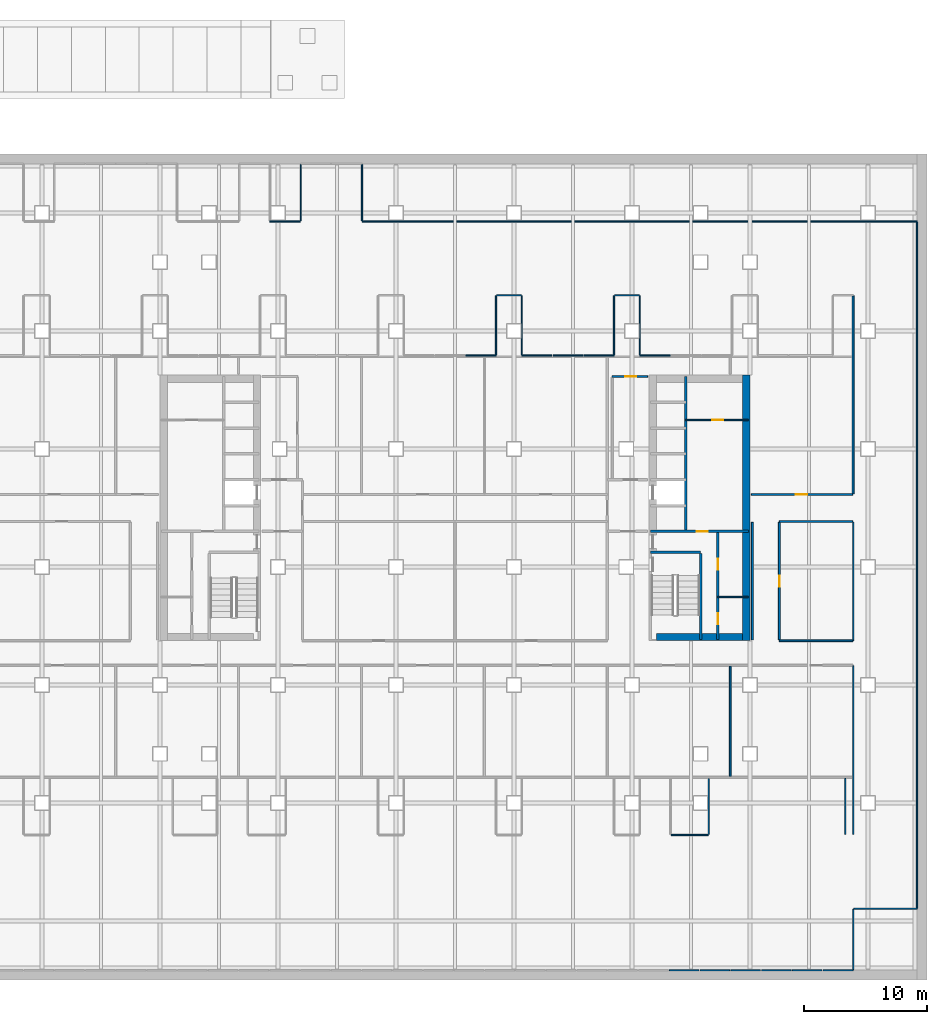
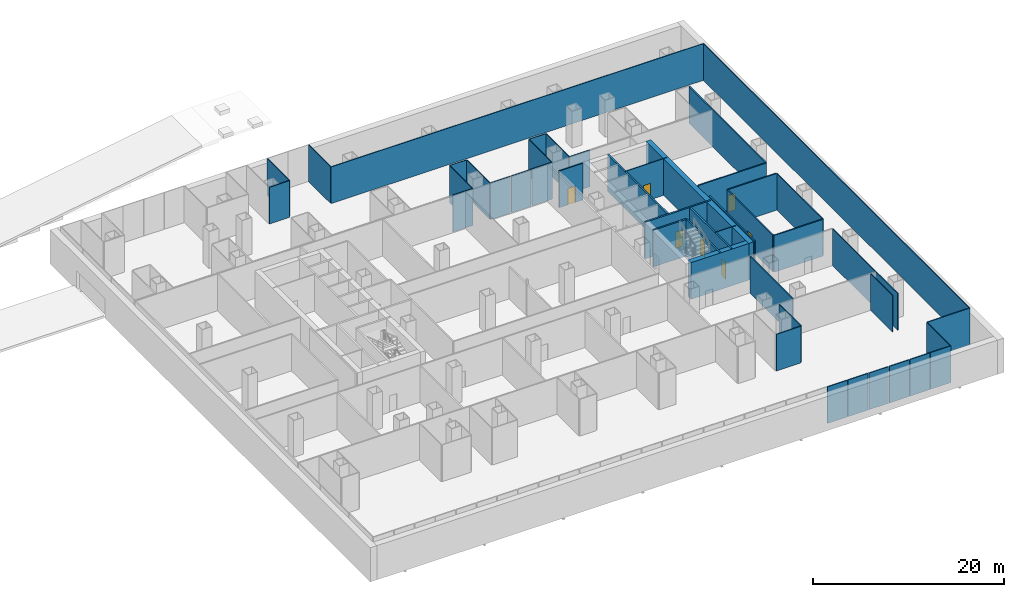
# One storey, part 9 of 11: 46 walls, 7 doors, 7 openings.
"""IFC4 building model written with IfcOpenShell, lengths in metres."""

from ifc_helpers import new_model, si_unit, direction, frame, frame_2d, origin, place, context, subcontext, project, spatial, rectangle, extrude, material, layer, layer_set, type_object, element, fill, save


model = new_model("IFC4")

# Units and contexts
model_context = context("Model", 3, precision=1e-05, world=origin(), true_north=direction((0.0, 1.0)))
body_context = subcontext(model_context, "Body", "Model", "MODEL_VIEW")
ifc_project = project(units=[si_unit("LENGTHUNIT", "METRE"), si_unit("AREAUNIT", "SQUARE_METRE"), si_unit("VOLUMEUNIT", "CUBIC_METRE"), si_unit("PLANEANGLEUNIT", "RADIAN"), si_unit("MASSUNIT", "GRAM", prefix="KILO")], contexts=[model_context])

# Site, building, storey
site_placement = place(None, origin())
site = spatial("IfcSite", under=ifc_project, at=site_placement, CompositionType="ELEMENT")
building_placement = place(site_placement, origin())
building = spatial("IfcBuilding", under=site, at=building_placement, Name="Cobrizo Arcos Hotel Tower", CompositionType="ELEMENT")
storey_placement = place(building_placement, frame((0.0, 0.0, -5.0)))
storey = spatial("IfcBuildingStorey", under=building, at=storey_placement, Name="B1", CompositionType="ELEMENT", Elevation=-5.0)

# Walls
ifc_material_1 = material(Name="Gypsum board partition")
ifc_layer_1 = layer(ifc_material_1, 0.14990234375)
ifc_layer_set_1 = layer_set([ifc_layer_1], Name="Corridor wall EI 60 150")
wall_type_1 = type_object("IfcWallType", Name="Corridor wall EI 60 150", PredefinedType="PARTITIONING", material=ifc_layer_set_1)
for number, where, z_axis, x_axis, name in (
    (1, (26.39990234375, -10.800048828125, 0.0), (0.0, 0.0, 1.0), (1.0, 0.0, 0.0), "Partition 062"),
    (2, (26.39990234375, -1.10009765625, 0.0), (0.0, 0.0, 1.0), (1.0, 0.0, 0.0), "Partition 073"),
):
    element("IfcWall", number, at=place(storey_placement, frame(where, z_axis=z_axis, x_axis=x_axis)), inside=storey, type_object=wall_type_1, Name=name, PredefinedType="PARTITIONING", context=body_context, shape_type="SweptSolid", body=[
        extrude(rectangle(XDim=5.9501953125, YDim=0.14990234375, at=frame_2d((2.97509765625, 0.0))), origin(), (0.0, 0.0, 1.0), 4.699951171875),
    ])

# Wall, opening, door
wall_1_placement = place(storey_placement, frame((24.1201171875, 1.10009765625, 0.0), z_axis=(0.0, 0.0, 1.0), x_axis=(1.0, 0.0, 0.0)))
wall_1 = element("IfcWall", 3, at=wall_1_placement, inside=storey, type_object=wall_type_1, Name="Partition 078", PredefinedType="PARTITIONING", context=body_context, shape_type="SweptSolid", body=[
    extrude(rectangle(XDim=8.22998046875, YDim=0.14990234375, at=frame_2d((4.114990234375, 0.0))), origin(), (0.0, 0.0, 1.0), 4.699951171875),
])
opening_1_placement = place(wall_1_placement, frame((3.6298828125, 0.0, 0.0)))
opening_1 = element("IfcOpeningElement", 4, at=opening_1_placement, cuts=wall_1, Name="Opening RD-26", PredefinedType="OPENING", context=body_context, shape_type="SweptSolid", body=[
    extrude(rectangle(XDim=0.89990234375, YDim=2.10009765625, at=frame_2d((0.449951171875, 1.050048828125))), frame((0.0, 0.0869140625, 0.0), z_axis=(0.0, -1.0, 0.0), x_axis=(1.0, 0.0, 0.0)), (0.0, 0.0, 1.0), 0.173828125),
])
ifc_material_2 = material(Name="Timber door leaf", Category="wood")
door_type = type_object("IfcDoorType", Name="Room door FD30 900x2100", OperationType="SINGLE_SWING_LEFT", PredefinedType="DOOR", material=ifc_material_2)
door_1_placement = place(opening_1_placement, origin())
door_1 = element("IfcDoor", 5, at=door_1_placement, inside=storey, type_object=door_type, Name="Door RD-26", OperationType="SINGLE_SWING_RIGHT", OverallHeight=2.10009765625, OverallWidth=0.89990234375, PredefinedType="DOOR", context=body_context, shape_type="SweptSolid", body=[
    extrude(rectangle(XDim=0.89990234375, YDim=2.10009765625, at=frame_2d((0.449951171875, 1.050048828125))), frame((0.0, 0.02490234375, 0.0), z_axis=(0.0, -1.0, 0.0), x_axis=(1.0, 0.0, 0.0)), (0.0, 0.0, 1.0), 0.050048828125),
])
fill(opening_1, door_1)

wall_2_placement = place(storey_placement, frame((12.800048828125, 10.699951171875, 0.0), z_axis=(0.0, 0.0, 1.0), x_axis=(1.0, 0.0, 0.0)))
wall_2 = element("IfcWall", 6, at=wall_2_placement, inside=storey, type_object=wall_type_1, Name="Partition 092", PredefinedType="PARTITIONING", context=body_context, shape_type="SweptSolid", body=[
    extrude(rectangle(XDim=2.8798828125, YDim=0.14990234375, at=frame_2d((1.43994140625, 0.0))), origin(), (0.0, 0.0, 1.0), 4.699951171875),
])
opening_2_placement = place(wall_2_placement, frame((1.050048828125, 0.0, 0.0)))
opening_2 = element("IfcOpeningElement", 7, at=opening_2_placement, cuts=wall_2, Name="Opening RD-25", PredefinedType="OPENING", context=body_context, shape_type="SweptSolid", body=[
    extrude(rectangle(XDim=0.89990234375, YDim=2.10009765625, at=frame_2d((0.449951171875, 1.050048828125))), frame((0.0, 0.0869140625, 0.0), z_axis=(0.0, -1.0, 0.0), x_axis=(1.0, 0.0, 0.0)), (0.0, 0.0, 1.0), 0.173828125),
])
door_2_placement = place(opening_2_placement, origin())
door_2 = element("IfcDoor", 8, at=door_2_placement, inside=storey, type_object=door_type, Name="Door RD-25", OperationType="SINGLE_SWING_RIGHT", OverallHeight=2.10009765625, OverallWidth=0.89990234375, PredefinedType="DOOR", context=body_context, shape_type="SweptSolid", body=[
    extrude(rectangle(XDim=0.89990234375, YDim=2.10009765625, at=frame_2d((0.449951171875, 1.050048828125))), frame((0.0, 0.02490234375, 0.0), z_axis=(0.0, -1.0, 0.0), x_axis=(1.0, 0.0, 0.0)), (0.0, 0.0, 1.0), 0.050048828125),
])
fill(opening_2, door_2)

# Walls
wall_3_placement = place(storey_placement, frame((22.39990234375, -21.824951171875, 0.0), z_axis=(0.0, 0.0, 1.0), x_axis=(0.0, 1.0, 0.0)))
element("IfcWall", 9, at=wall_3_placement, inside=storey, type_object=wall_type_1, Name="Partition 200", PredefinedType="PARTITIONING", context=body_context, shape_type="SweptSolid", body=[
    extrude(rectangle(XDim=8.949951171875, YDim=0.14990234375, at=frame_2d((4.47509765625, 0.0))), origin(), (0.0, 0.0, 1.0), 4.699951171875),
])
wall_4_placement = place(storey_placement, frame((24.199951171875, -10.72509765625, 0.0), z_axis=(0.0, 0.0, 1.0), x_axis=(0.0, 1.0, 0.0)))
element("IfcWall", 10, at=wall_4_placement, inside=storey, type_object=wall_type_1, Name="Partition 203", PredefinedType="PARTITIONING", context=body_context, shape_type="SweptSolid", body=[
    extrude(rectangle(XDim=9.550048828125, YDim=0.14990234375, at=frame_2d((4.77490234375, 0.0))), origin(), (0.0, 0.0, 1.0), 4.699951171875),
])

# Wall, opening, door
wall_5_placement = place(storey_placement, frame((26.39990234375, -10.72509765625, 0.0), z_axis=(0.0, 0.0, 1.0), x_axis=(0.0, 1.0, 0.0)))
wall_5 = element("IfcWall", 11, at=wall_5_placement, inside=storey, type_object=wall_type_1, Name="Partition 205", PredefinedType="PARTITIONING", context=body_context, shape_type="SweptSolid", body=[
    extrude(rectangle(XDim=9.550048828125, YDim=0.14990234375, at=frame_2d((4.77490234375, 0.0))), origin(), (0.0, 0.0, 1.0), 4.699951171875),
])
opening_3_placement = place(wall_5_placement, frame((4.324951171875, 0.0, 0.0)))
opening_3 = element("IfcOpeningElement", 12, at=opening_3_placement, cuts=wall_5, Name="Opening RD-16", PredefinedType="OPENING", context=body_context, shape_type="SweptSolid", body=[
    extrude(rectangle(XDim=0.89990234375, YDim=2.10009765625, at=frame_2d((0.449951171875, 1.050048828125))), frame((0.0, 0.0869140625, 0.0), z_axis=(0.0, -1.0, 0.0), x_axis=(1.0, 0.0, 0.0)), (0.0, 0.0, 1.0), 0.173828125),
])
door_3_placement = place(opening_3_placement, origin())
door_3 = element("IfcDoor", 13, at=door_3_placement, inside=storey, type_object=door_type, Name="Door RD-16", OperationType="SINGLE_SWING_LEFT", OverallHeight=2.10009765625, OverallWidth=0.89990234375, PredefinedType="DOOR", context=body_context, shape_type="SweptSolid", body=[
    extrude(rectangle(XDim=0.89990234375, YDim=2.10009765625, at=frame_2d((0.449951171875, 1.050048828125))), frame((0.0, 0.02490234375, 0.0), z_axis=(0.0, -1.0, 0.0), x_axis=(1.0, 0.0, 0.0)), (0.0, 0.0, 1.0), 0.050048828125),
])
fill(opening_3, door_3)

# Walls
wall_6_placement = place(storey_placement, frame((32.39990234375, 1.14990234375, 0.0), z_axis=(0.0, 0.0, 1.0), x_axis=(0.0, 1.0, 0.0)))
element("IfcWall", 14, at=wall_6_placement, inside=storey, type_object=wall_type_1, Name="Partition 211", PredefinedType="PARTITIONING", context=body_context, shape_type="SweptSolid", body=[
    extrude(rectangle(XDim=16.10009765625, YDim=0.14990234375, at=frame_2d((8.050048828125, 0.0))), origin(), (0.0, 0.0, 1.0), 4.699951171875),
])
ifc_layer_2 = layer(ifc_material_1, 0.10009765625)
ifc_layer_set_2 = layer_set([ifc_layer_2], Name="Partition EI 30 100")
wall_type_2 = type_object("IfcWallType", Name="Partition EI 30 100", PredefinedType="PARTITIONING", material=ifc_layer_set_2)
for number, where, z_axis, x_axis, name in (
    (15, (17.449951171875, -37.60009765625, 0.0), (0.0, 0.0, 1.0), (1.0, 0.0, 0.0), "Partition 023"),
    (16, (19.949951171875, -37.60009765625, 0.0), (0.0, 0.0, 1.0), (1.0, 0.0, 0.0), "Partition 024"),
    (17, (22.449951171875, -37.60009765625, 0.0), (0.0, 0.0, 1.0), (1.0, 0.0, 0.0), "Partition 025"),
    (18, (24.949951171875, -37.60009765625, 0.0), (0.0, 0.0, 1.0), (1.0, 0.0, 0.0), "Partition 026"),
    (19, (27.449951171875, -37.60009765625, 0.0), (0.0, 0.0, 1.0), (1.0, 0.0, 0.0), "Partition 027"),
):
    element("IfcWall", number, at=place(storey_placement, frame(where, z_axis=z_axis, x_axis=x_axis)), inside=storey, type_object=wall_type_2, Name=name, PredefinedType="PARTITIONING", context=body_context, shape_type="SweptSolid", body=[
        extrude(rectangle(XDim=2.400146484375, YDim=0.10009765625, at=frame_2d((1.2001953125, 0.0))), origin(), (0.0, 0.0, 1.0), 4.699951171875),
    ])
wall_7_placement = place(storey_placement, frame((29.949951171875, -37.60009765625, 0.0), z_axis=(0.0, 0.0, 1.0), x_axis=(1.0, 0.0, 0.0)))
element("IfcWall", 20, at=wall_7_placement, inside=storey, type_object=wall_type_2, Name="Partition 028", PredefinedType="PARTITIONING", context=body_context, shape_type="SweptSolid", body=[
    extrude(rectangle(XDim=2.449951171875, YDim=0.10009765625, at=frame_2d((1.22509765625, 0.0))), origin(), (0.0, 0.0, 1.0), 4.699951171875),
])
wall_8_placement = place(storey_placement, frame((32.449951171875, -32.60009765625, 0.0), z_axis=(0.0, 0.0, 1.0), x_axis=(1.0, 0.0, 0.0)))
element("IfcWall", 21, at=wall_8_placement, inside=storey, type_object=wall_type_2, Name="Partition 029", PredefinedType="PARTITIONING", context=body_context, shape_type="SweptSolid", body=[
    extrude(rectangle(XDim=5.150146484375, YDim=0.10009765625, at=frame_2d((2.5751953125, 0.0))), origin(), (0.0, 0.0, 1.0), 4.699951171875),
])
wall_9_placement = place(storey_placement, frame((17.60009765625, -26.60009765625, 0.0), z_axis=(0.0, 0.0, 1.0), x_axis=(1.0, 0.0, 0.0)))
element("IfcWall", 22, at=wall_9_placement, inside=storey, type_object=wall_type_2, Name="Partition 036", PredefinedType="PARTITIONING", context=body_context, shape_type="SweptSolid", body=[
    extrude(rectangle(XDim=3.0, YDim=0.10009765625, at=frame_2d((1.5, 0.0))), origin(), (0.0, 0.0, 1.0), 4.699951171875),
])
wall_10_placement = place(storey_placement, frame((21.39990234375, -7.25, 0.0), z_axis=(0.0, 0.0, 1.0), x_axis=(1.0, 0.0, 0.0)))
element("IfcWall", 23, at=wall_10_placement, inside=storey, type_object=wall_type_2, Name="Partition 064", PredefinedType="PARTITIONING", context=body_context, shape_type="SweptSolid", body=[
    extrude(rectangle(XDim=2.47998046875, YDim=0.10009765625, at=frame_2d((1.239990234375, 0.0))), origin(), (0.0, 0.0, 1.0), 4.699951171875),
])

# Wall, opening, door
wall_11_placement = place(storey_placement, frame((18.800048828125, 7.14990234375, 0.0), z_axis=(0.0, 0.0, 1.0), x_axis=(1.0, 0.0, 0.0)))
wall_11 = element("IfcWall", 24, at=wall_11_placement, inside=storey, type_object=wall_type_2, Name="Partition 088", PredefinedType="PARTITIONING", context=body_context, shape_type="SweptSolid", body=[
    extrude(rectangle(XDim=5.079833984375, YDim=0.10009765625, at=frame_2d((2.5400390625, 0.0))), origin(), (0.0, 0.0, 1.0), 4.699951171875),
])
opening_4_placement = place(wall_11_placement, frame((2.14990234375, 0.0, 0.0)))
opening_4 = element("IfcOpeningElement", 25, at=opening_4_placement, cuts=wall_11, Name="Opening RD-08", PredefinedType="OPENING", context=body_context, shape_type="SweptSolid", body=[
    extrude(rectangle(XDim=0.89990234375, YDim=2.10009765625, at=frame_2d((0.449951171875, 1.050048828125))), frame((0.0, 0.06201171875, 0.0), z_axis=(0.0, -1.0, 0.0), x_axis=(1.0, 0.0, 0.0)), (0.0, 0.0, 1.0), 0.1240234375),
])
door_4_placement = place(opening_4_placement, origin())
door_4 = element("IfcDoor", 26, at=door_4_placement, inside=storey, type_object=door_type, Name="Door RD-08", OperationType="SINGLE_SWING_RIGHT", OverallHeight=2.10009765625, OverallWidth=0.89990234375, PredefinedType="DOOR", context=body_context, shape_type="SweptSolid", body=[
    extrude(rectangle(XDim=0.89990234375, YDim=2.10009765625, at=frame_2d((0.449951171875, 1.050048828125))), frame((0.0, 0.02490234375, 0.0), z_axis=(0.0, -1.0, 0.0), x_axis=(1.0, 0.0, 0.0)), (0.0, 0.0, 1.0), 0.050048828125),
])
fill(opening_4, door_4)

# Walls
wall_12_placement = place(storey_placement, frame((0.89990234375, 12.39990234375, 0.0), z_axis=(0.0, 0.0, 1.0), x_axis=(1.0, 0.0, 0.0)))
element("IfcWall", 27, at=wall_12_placement, inside=storey, type_object=wall_type_2, Name="Partition 106", PredefinedType="PARTITIONING", context=body_context, shape_type="SweptSolid", body=[
    extrude(rectangle(XDim=2.4501953125, YDim=0.10009765625, at=frame_2d((1.22509765625, 0.0))), origin(), (0.0, 0.0, 1.0), 4.699951171875),
])
wall_13_placement = place(storey_placement, frame((5.449951171875, 12.39990234375, 0.0), z_axis=(0.0, 0.0, 1.0), x_axis=(1.0, 0.0, 0.0)))
element("IfcWall", 28, at=wall_13_placement, inside=storey, type_object=wall_type_2, Name="Partition 107", PredefinedType="PARTITIONING", context=body_context, shape_type="SweptSolid", body=[
    extrude(rectangle(XDim=2.449951171875, YDim=0.10009765625, at=frame_2d((1.22509765625, 0.0))), origin(), (0.0, 0.0, 1.0), 4.699951171875),
])
wall_14_placement = place(storey_placement, frame((8.0, 12.39990234375, 0.0), z_axis=(0.0, 0.0, 1.0), x_axis=(1.0, 0.0, 0.0)))
element("IfcWall", 29, at=wall_14_placement, inside=storey, type_object=wall_type_2, Name="Partition 108", PredefinedType="PARTITIONING", context=body_context, shape_type="SweptSolid", body=[
    extrude(rectangle(XDim=2.39990234375, YDim=0.10009765625, at=frame_2d((1.199951171875, 0.0))), origin(), (0.0, 0.0, 1.0), 4.699951171875),
])
for number, where, z_axis, x_axis, name in (
    (30, (10.5, 12.39990234375, 0.0), (0.0, 0.0, 1.0), (1.0, 0.0, 0.0), "Partition 109"),
    (31, (15.050048828125, 12.39990234375, 0.0), (0.0, 0.0, 1.0), (1.0, 0.0, 0.0), "Partition 110"),
):
    element("IfcWall", number, at=place(storey_placement, frame(where, z_axis=z_axis, x_axis=x_axis)), inside=storey, type_object=wall_type_2, Name=name, PredefinedType="PARTITIONING", context=body_context, shape_type="SweptSolid", body=[
        extrude(rectangle(XDim=2.449951171875, YDim=0.10009765625, at=frame_2d((1.22509765625, 0.0))), origin(), (0.0, 0.0, 1.0), 4.699951171875),
    ])
for number, where, z_axis, x_axis, name in (
    (32, (3.39990234375, 17.300048828125, 0.0), (0.0, 0.0, 1.0), (1.0, 0.0, 0.0), "Partition 119"),
    (33, (13.0, 17.300048828125, 0.0), (0.0, 0.0, 1.0), (1.0, 0.0, 0.0), "Partition 120"),
):
    element("IfcWall", number, at=place(storey_placement, frame(where, z_axis=z_axis, x_axis=x_axis)), inside=storey, type_object=wall_type_2, Name=name, PredefinedType="PARTITIONING", context=body_context, shape_type="SweptSolid", body=[
        extrude(rectangle(XDim=2.0, YDim=0.10009765625, at=frame_2d((1.0, 0.0))), origin(), (0.0, 0.0, 1.0), 4.699951171875),
    ])
wall_15_placement = place(storey_placement, frame((-15.050048828125, 23.300048828125, 0.0), z_axis=(0.0, 0.0, 1.0), x_axis=(1.0, 0.0, 0.0)))
element("IfcWall", 34, at=wall_15_placement, inside=storey, type_object=wall_type_2, Name="Partition 125", PredefinedType="PARTITIONING", context=body_context, shape_type="SweptSolid", body=[
    extrude(rectangle(XDim=2.449951171875, YDim=0.10009765625, at=frame_2d((1.22509765625, 0.0))), origin(), (0.0, 0.0, 1.0), 4.699951171875),
])
wall_16_placement = place(storey_placement, frame((-7.550048828125, 23.300048828125, 0.0), z_axis=(0.0, 0.0, 1.0), x_axis=(1.0, 0.0, 0.0)))
element("IfcWall", 35, at=wall_16_placement, inside=storey, type_object=wall_type_2, Name="Partition 126", PredefinedType="PARTITIONING", context=body_context, shape_type="SweptSolid", body=[
    extrude(rectangle(XDim=45.150146484375, YDim=0.10009765625, at=frame_2d((22.5751953125, 0.0))), origin(), (0.0, 0.0, 1.0), 4.699951171875),
])
for number, where, z_axis, x_axis, name in (
    (36, (-12.550048828125, 23.35009765625, 0.0), (0.0, 0.0, 1.0), (0.0, 1.0, 0.0), "Partition 170"),
    (37, (-7.550048828125, 23.35009765625, 0.0), (0.0, 0.0, 1.0), (0.0, 1.0, 0.0), "Partition 174"),
):
    element("IfcWall", number, at=place(storey_placement, frame(where, z_axis=z_axis, x_axis=x_axis)), inside=storey, type_object=wall_type_2, Name=name, PredefinedType="PARTITIONING", context=body_context, shape_type="SweptSolid", body=[
        extrude(rectangle(XDim=4.599853515625, YDim=0.10009765625, at=frame_2d((2.2998046875, 0.0))), origin(), (0.0, 0.0, 1.0), 4.699951171875),
    ])
for number, where, z_axis, x_axis, name in (
    (38, (3.35009765625, 12.449951171875, 0.0), (0.0, 0.0, 1.0), (0.0, 1.0, 0.0), "Partition 185"),
    (39, (5.449951171875, 12.449951171875, 0.0), (0.0, 0.0, 1.0), (0.0, 1.0, 0.0), "Partition 187"),
    (40, (12.949951171875, 12.449951171875, 0.0), (0.0, 0.0, 1.0), (0.0, 1.0, 0.0), "Partition 192"),
    (41, (15.050048828125, 12.449951171875, 0.0), (0.0, 0.0, 1.0), (0.0, 1.0, 0.0), "Partition 194"),
):
    element("IfcWall", number, at=place(storey_placement, frame(where, z_axis=z_axis, x_axis=x_axis)), inside=storey, type_object=wall_type_2, Name=name, PredefinedType="PARTITIONING", context=body_context, shape_type="SweptSolid", body=[
        extrude(rectangle(XDim=4.800048828125, YDim=0.10009765625, at=frame_2d((2.39990234375, 0.0))), origin(), (0.0, 0.0, 1.0), 4.699951171875),
    ])
wall_17_placement = place(storey_placement, frame((20.64990234375, -26.550048828125, 0.0), z_axis=(0.0, 0.0, 1.0), x_axis=(0.0, 1.0, 0.0)))
element("IfcWall", 42, at=wall_17_placement, inside=storey, type_object=wall_type_2, Name="Partition 198", PredefinedType="PARTITIONING", context=body_context, shape_type="SweptSolid", body=[
    extrude(rectangle(XDim=4.525146484375, YDim=0.10009765625, at=frame_2d((2.2626953125, 0.0))), origin(), (0.0, 0.0, 1.0), 4.699951171875),
])
wall_18_placement = place(storey_placement, frame((31.75, -26.550048828125, 0.0), z_axis=(0.0, 0.0, 1.0), x_axis=(0.0, 1.0, 0.0)))
element("IfcWall", 43, at=wall_18_placement, inside=storey, type_object=wall_type_2, Name="Partition 207", PredefinedType="PARTITIONING", context=body_context, shape_type="SweptSolid", body=[
    extrude(rectangle(XDim=4.550048828125, YDim=0.10009765625, at=frame_2d((2.27490234375, 0.0))), origin(), (0.0, 0.0, 1.0), 4.699951171875),
])
wall_19_placement = place(storey_placement, frame((32.39990234375, -37.550048828125, 0.0), z_axis=(0.0, 0.0, 1.0), x_axis=(0.0, 1.0, 0.0)))
element("IfcWall", 44, at=wall_19_placement, inside=storey, type_object=wall_type_2, Name="Partition 208", PredefinedType="PARTITIONING", context=body_context, shape_type="SweptSolid", body=[
    extrude(rectangle(XDim=4.900146484375, YDim=0.10009765625, at=frame_2d((2.4501953125, 0.0))), origin(), (0.0, 0.0, 1.0), 4.699951171875),
])
wall_20_placement = place(storey_placement, frame((32.39990234375, -26.550048828125, 0.0), z_axis=(0.0, 0.0, 1.0), x_axis=(0.0, 1.0, 0.0)))
element("IfcWall", 45, at=wall_20_placement, inside=storey, type_object=wall_type_2, Name="Partition 209", PredefinedType="PARTITIONING", context=body_context, shape_type="SweptSolid", body=[
    extrude(rectangle(XDim=13.699951171875, YDim=0.10009765625, at=frame_2d((6.85009765625, 0.0))), origin(), (0.0, 0.0, 1.0), 4.699951171875),
])
wall_21_placement = place(storey_placement, frame((32.39990234375, -10.800048828125, 0.0), z_axis=(0.0, 0.0, 1.0), x_axis=(0.0, 1.0, 0.0)))
element("IfcWall", 46, at=wall_21_placement, inside=storey, type_object=wall_type_2, Name="Partition 210", PredefinedType="PARTITIONING", context=body_context, shape_type="SweptSolid", body=[
    extrude(rectangle(XDim=9.650146484375, YDim=0.10009765625, at=frame_2d((4.8251953125, 0.0))), origin(), (0.0, 0.0, 1.0), 4.699951171875),
])
wall_22_placement = place(storey_placement, frame((37.60009765625, -32.550048828125, 0.0), z_axis=(0.0, 0.0, 1.0), x_axis=(0.0, 1.0, 0.0)))
element("IfcWall", 47, at=wall_22_placement, inside=storey, type_object=wall_type_2, Name="Partition 212", PredefinedType="PARTITIONING", context=body_context, shape_type="SweptSolid", body=[
    extrude(rectangle(XDim=55.800048828125, YDim=0.10009765625, at=frame_2d((27.89990234375, 0.0))), origin(), (0.0, 0.0, 1.0), 4.699951171875),
])
ifc_material_3 = material(Name="Concrete f'c 60 MPa", Category="concrete")
ifc_layer_3 = layer(ifc_material_3, 0.60009765625)
ifc_layer_set_3 = layer_set([ifc_layer_3], Name="RC core wall 600 f'c 60")
wall_type_3 = type_object("IfcWallType", Name="RC core wall 600 f'c 60", PredefinedType="SHEAR", material=ifc_layer_set_3)
wall_23_placement = place(storey_placement, frame((23.699951171875, -10.800048828125, 0.0), z_axis=(0.0, 0.0, 1.0), x_axis=(0.0, 1.0, 0.0)))
element("IfcWall", 48, at=wall_23_placement, inside=storey, type_object=wall_type_3, Name="Core wall CW1, east core, outer face, B1", PredefinedType="SHEAR", context=body_context, shape_type="SweptSolid", body=[
    extrude(rectangle(XDim=21.60009765625, YDim=0.60009765625, at=frame_2d((10.800048828125, 0.0))), origin(), (0.0, 0.0, 1.0), 4.699951171875),
])
wall_24_placement = place(storey_placement, frame((16.39990234375, -10.5, 0.0), z_axis=(0.0, 0.0, 1.0), x_axis=(1.0, 0.0, 0.0)))
element("IfcWall", 49, at=wall_24_placement, inside=storey, type_object=wall_type_3, Name="Core wall CW1, east core, south end, B1", PredefinedType="SHEAR", context=body_context, shape_type="SweptSolid", body=[
    extrude(rectangle(XDim=7.0, YDim=0.60009765625, at=frame_2d((3.5, 0.0))), origin(), (0.0, 0.0, 1.0), 4.699951171875),
])

# Wall, opening, door
ifc_layer_4 = layer(ifc_material_1, 0.199951171875)
ifc_layer_set_4 = layer_set([ifc_layer_4], Name="Shaft wall EI 120 200")
wall_type_4 = type_object("IfcWallType", Name="Shaft wall EI 120 200", PredefinedType="PARTITIONING", material=ifc_layer_set_4)
wall_25_placement = place(storey_placement, frame((15.919921875, -1.89990234375, 0.0), z_axis=(0.0, 0.0, 1.0), x_axis=(1.0, 0.0, 0.0)))
wall_25 = element("IfcWall", 50, at=wall_25_placement, inside=storey, type_object=wall_type_4, Name="Partition 070", PredefinedType="PARTITIONING", context=body_context, shape_type="SweptSolid", body=[
    extrude(rectangle(XDim=7.9599609375, YDim=0.199951171875, at=frame_2d((3.97998046875, 0.0))), origin(), (0.0, 0.0, 1.0), 4.699951171875),
])
opening_5_placement = place(wall_25_placement, frame((3.739990234375, 0.0, 0.0)))
opening_5 = element("IfcOpeningElement", 51, at=opening_5_placement, cuts=wall_25, Name="Opening RD-07", PredefinedType="OPENING", context=body_context, shape_type="SweptSolid", body=[
    extrude(rectangle(XDim=0.89990234375, YDim=2.10009765625, at=frame_2d((0.449951171875, 1.050048828125))), frame((0.0, 0.112060546875, 0.0), z_axis=(0.0, -1.0, 0.0), x_axis=(1.0, 0.0, 0.0)), (0.0, 0.0, 1.0), 0.223876953125),
])
door_5_placement = place(opening_5_placement, origin())
door_5 = element("IfcDoor", 52, at=door_5_placement, inside=storey, type_object=door_type, Name="Door RD-07", OperationType="SINGLE_SWING_LEFT", OverallHeight=2.10009765625, OverallWidth=0.89990234375, PredefinedType="DOOR", context=body_context, shape_type="SweptSolid", body=[
    extrude(rectangle(XDim=0.89990234375, YDim=2.10009765625, at=frame_2d((0.449951171875, 1.050048828125))), frame((0.0, 0.02490234375, 0.0), z_axis=(0.0, -1.0, 0.0), x_axis=(1.0, 0.0, 0.0)), (0.0, 0.0, 1.0), 0.050048828125),
])
fill(opening_5, door_5)

# Wall
wall_26_placement = place(storey_placement, frame((18.800048828125, -1.800048828125, 0.0), z_axis=(0.0, 0.0, 1.0), x_axis=(0.0, 1.0, 0.0)))
element("IfcWall", 53, at=wall_26_placement, inside=storey, type_object=wall_type_4, Name="Partition 196", PredefinedType="PARTITIONING", context=body_context, shape_type="SweptSolid", body=[
    extrude(rectangle(XDim=12.47998046875, YDim=0.199951171875, at=frame_2d((6.239990234375, 0.0))), origin(), (0.0, 0.0, 1.0), 4.699951171875),
])

# Wall, openings, doors
wall_27_placement = place(storey_placement, frame((21.39990234375, -10.679931640625, 0.0), z_axis=(0.0, 0.0, 1.0), x_axis=(0.0, 1.0, 0.0)))
wall_27 = element("IfcWall", 54, at=wall_27_placement, inside=storey, type_object=wall_type_4, Name="Partition 199", PredefinedType="PARTITIONING", context=body_context, shape_type="SweptSolid", body=[
    extrude(rectangle(XDim=8.679931640625, YDim=0.199951171875, at=frame_2d((4.33984375, 0.0))), origin(), (0.0, 0.0, 1.0), 4.699951171875),
])
opening_6_placement = place(wall_27_placement, frame((1.2099609375, 0.0, 0.0)))
opening_6 = element("IfcOpeningElement", 55, at=opening_6_placement, cuts=wall_27, Name="Opening RD-05", PredefinedType="OPENING", context=body_context, shape_type="SweptSolid", body=[
    extrude(rectangle(XDim=0.89990234375, YDim=2.10009765625, at=frame_2d((0.449951171875, 1.050048828125))), frame((0.0, 0.112060546875, 0.0), z_axis=(0.0, -1.0, 0.0), x_axis=(1.0, 0.0, 0.0)), (0.0, 0.0, 1.0), 0.223876953125),
])
opening_7_placement = place(wall_27_placement, frame((5.659912109375, 0.0, 0.0)))
opening_7 = element("IfcOpeningElement", 56, at=opening_7_placement, cuts=wall_27, Name="Opening RD-06", PredefinedType="OPENING", context=body_context, shape_type="SweptSolid", body=[
    extrude(rectangle(XDim=0.89990234375, YDim=2.10009765625, at=frame_2d((0.449951171875, 1.050048828125))), frame((0.0, 0.112060546875, 0.0), z_axis=(0.0, -1.0, 0.0), x_axis=(1.0, 0.0, 0.0)), (0.0, 0.0, 1.0), 0.223876953125),
])
door_6_placement = place(opening_6_placement, origin())
door_6 = element("IfcDoor", 57, at=door_6_placement, inside=storey, type_object=door_type, Name="Door RD-05", OperationType="SINGLE_SWING_RIGHT", OverallHeight=2.10009765625, OverallWidth=0.89990234375, PredefinedType="DOOR", context=body_context, shape_type="SweptSolid", body=[
    extrude(rectangle(XDim=0.89990234375, YDim=2.10009765625, at=frame_2d((0.449951171875, 1.050048828125))), frame((0.0, 0.02490234375, 0.0), z_axis=(0.0, -1.0, 0.0), x_axis=(1.0, 0.0, 0.0)), (0.0, 0.0, 1.0), 0.050048828125),
])
fill(opening_6, door_6)
door_7_placement = place(opening_7_placement, origin())
door_7 = element("IfcDoor", 58, at=door_7_placement, inside=storey, type_object=door_type, Name="Door RD-06", OperationType="SINGLE_SWING_RIGHT", OverallHeight=2.10009765625, OverallWidth=0.89990234375, PredefinedType="DOOR", context=body_context, shape_type="SweptSolid", body=[
    extrude(rectangle(XDim=0.89990234375, YDim=2.10009765625, at=frame_2d((0.449951171875, 1.050048828125))), frame((0.0, 0.02490234375, 0.0), z_axis=(0.0, -1.0, 0.0), x_axis=(1.0, 0.0, 0.0)), (0.0, 0.0, 1.0), 0.050048828125),
])
fill(opening_7, door_7)

# Walls
ifc_material_4 = material(Name="Concrete f'c 40 MPa", Category="concrete")
ifc_layer_5 = layer(ifc_material_4, 0.199951171875)
ifc_layer_set_5 = layer_set([ifc_layer_5], Name="Stair shaft wall 200")
wall_type_5 = type_object("IfcWallType", Name="Stair shaft wall 200", PredefinedType="SHEAR", material=ifc_layer_set_5)
wall_28_placement = place(storey_placement, frame((15.919921875, -3.60009765625, 0.0), z_axis=(0.0, 0.0, 1.0), x_axis=(1.0, 0.0, 0.0)))
element("IfcWall", 59, at=wall_28_placement, inside=storey, type_object=wall_type_5, Name="Stair shaft wall E", PredefinedType="SHEAR", context=body_context, shape_type="SweptSolid", body=[
    extrude(rectangle(XDim=4.080078125, YDim=0.199951171875, at=frame_2d((2.0400390625, 0.0))), origin(), (0.0, 0.0, 1.0), 4.699951171875),
])
wall_29_placement = place(storey_placement, frame((20.0, -10.679931640625, 0.0), z_axis=(0.0, 0.0, 1.0), x_axis=(0.0, 1.0, 0.0)))
element("IfcWall", 60, at=wall_29_placement, inside=storey, type_object=wall_type_5, Name="Stair shaft wall E", PredefinedType="SHEAR", context=body_context, shape_type="SweptSolid", body=[
    extrude(rectangle(XDim=6.97998046875, YDim=0.199951171875, at=frame_2d((3.489990234375, 0.0))), origin(), (0.0, 0.0, 1.0), 4.699951171875),
])

save(model, "model.ifc")
